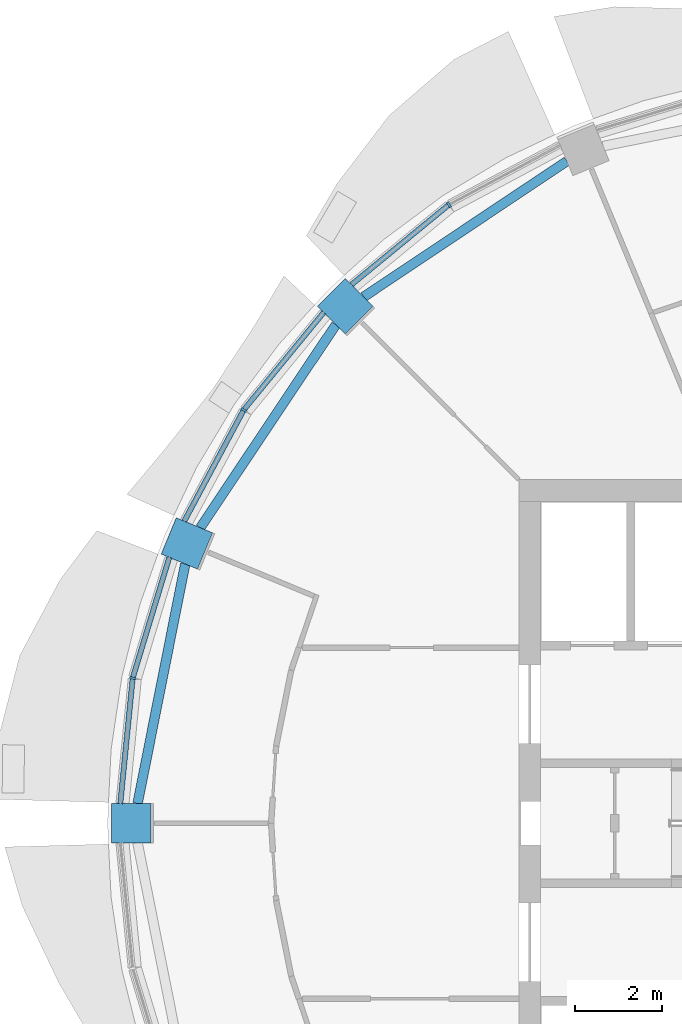
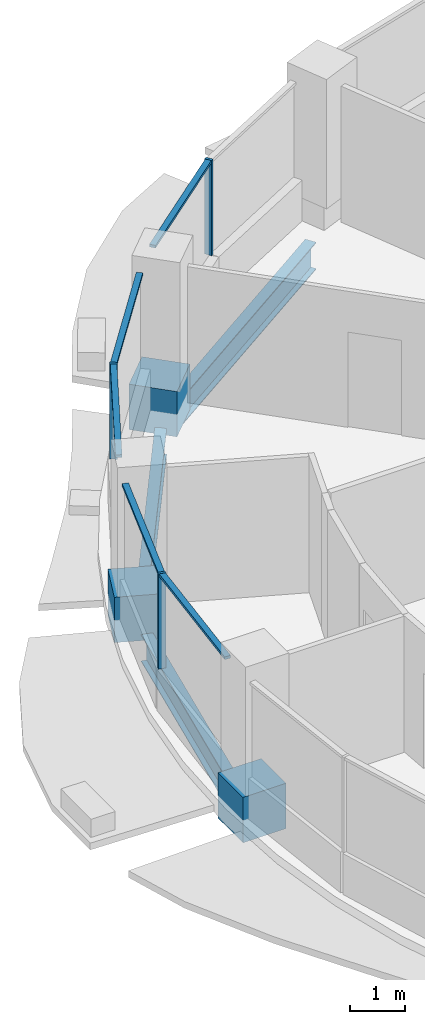
# One storey, part 4 of 15: 11 members, 3 beams, 3 elements without a shape of their own.
"""IFC4 building model written with IfcOpenShell, lengths in metres."""

from ifc_helpers import new_model, si_unit, direction, frame, origin, origin_2d, place, context, subcontext, project, spatial, rectangle, i_section, extrude, material, material_profile, profile_set, type_object, element, aggregate, save


model = new_model("IFC4")

# Units and contexts
model_context = context("Model", 3, precision=1e-05, world=origin(), true_north=direction((0.0, 1.0)))
body_context = subcontext(model_context, "Body", "Model", "MODEL_VIEW")
ifc_project = project(units=[si_unit("LENGTHUNIT", "METRE"), si_unit("AREAUNIT", "SQUARE_METRE"), si_unit("VOLUMEUNIT", "CUBIC_METRE"), si_unit("PLANEANGLEUNIT", "RADIAN"), si_unit("MASSUNIT", "GRAM", prefix="KILO")], contexts=[model_context])

# Site, building, storey
site_placement = place(None, origin())
site = spatial("IfcSite", under=ifc_project, at=site_placement, CompositionType="ELEMENT")
building_placement = place(site_placement, origin())
building = spatial("IfcBuilding", under=site, at=building_placement, Name="Polderwave Tower", CompositionType="ELEMENT")
storey_placement = place(building_placement, frame((0.0, 0.0, 197.699951171875)))
storey = spatial("IfcBuildingStorey", under=building, at=storey_placement, Name="L53", CompositionType="ELEMENT", Elevation=197.699951171875)

# Curtain wall, member
ifc_material_1 = material(Name="Aluminium 6063-T6 and glass", Category="aluminium")
curtain_wall_type = type_object("IfcCurtainWallType", Name="Office ribbon glazing wall", PredefinedType="NOTDEFINED", material=ifc_material_1)
curtain_wall_1_placement = place(storey_placement, origin())
curtain_wall_1 = element("IfcCurtainWall", 1, at=curtain_wall_1_placement, inside=storey, type_object=curtain_wall_type, Name="CW3 L53 05", PredefinedType="NOTDEFINED")
ifc_material_2 = material(Name="Aluminium 6063-T6", Category="aluminium")
ifc_material_profile_1 = material_profile(ifc_material_2, rectangle(XDim=0.139892578125, YDim=0.054931640625, at=origin_2d()), Name="AL 55x140")
ifc_profile_set_1 = profile_set([ifc_material_profile_1], Name="Aluminium 6063-T6")
member_type_1 = type_object("IfcMemberType", Name="Office ribbon glazing mullion 55x140", PredefinedType="MULLION", material=ifc_profile_set_1)
member_1_placement = place(storey_placement, frame((-9.471923828125, 14.177001953125, 0.900146484375), z_axis=(0.0, 0.0, 1.0), x_axis=(0.555554269847, -0.831480278332, 0.0)))
member_1 = element("IfcMember", 2, at=member_1_placement, type_object=member_type_1, Name="CW3 mullion 1", PredefinedType="MULLION", context=body_context, shape_type="SweptSolid", body=[
    extrude(rectangle(XDim=0.139892578125, YDim=0.054931640625, at=origin_2d()), origin(), (0.0, 0.0, 1.0), 2.099853515625),
])

curtain_wall_2_placement = place(storey_placement, origin())
curtain_wall_2 = element("IfcCurtainWall", 3, at=curtain_wall_2_placement, inside=storey, type_object=curtain_wall_type, Name="CW3 L53 06", PredefinedType="NOTDEFINED")
member_2_placement = place(storey_placement, frame((-14.177001953125, 9.471923828125, 0.900146484375), z_axis=(0.0, 0.0, 1.0), x_axis=(0.831480278332, -0.555554269847, 0.0)))
member_2 = element("IfcMember", 4, at=member_2_placement, type_object=member_type_1, Name="CW3 mullion 1", PredefinedType="MULLION", context=body_context, shape_type="SweptSolid", body=[
    extrude(rectangle(XDim=0.139892578125, YDim=0.054931640625, at=origin_2d()), origin(), (0.0, 0.0, 1.0), 2.099853515625),
])

curtain_wall_3_placement = place(storey_placement, origin())
curtain_wall_3 = element("IfcCurtainWall", 5, at=curtain_wall_3_placement, inside=storey, type_object=curtain_wall_type, Name="CW3 L53 07", PredefinedType="NOTDEFINED")
member_3_placement = place(storey_placement, frame((-16.721923828125, 3.325927734375, 0.900146484375), z_axis=(0.0, 0.0, 1.0), x_axis=(0.980762460409, -0.195205010829, 0.0)))
member_3 = element("IfcMember", 6, at=member_3_placement, type_object=member_type_1, Name="CW3 mullion 1", PredefinedType="MULLION", context=body_context, shape_type="SweptSolid", body=[
    extrude(rectangle(XDim=0.139892578125, YDim=0.054931640625, at=origin_2d()), origin(), (0.0, 0.0, 1.0), 2.099853515625),
])

# Member
ifc_material_profile_2 = material_profile(ifc_material_2, rectangle(XDim=0.1201171875, YDim=0.06005859375, at=origin_2d()), Name="AL 60x120")
ifc_profile_set_2 = profile_set([ifc_material_profile_2], Name="Aluminium 6063-T6")
member_type_2 = type_object("IfcMemberType", Name="Office ribbon glazing transom 60x120", PredefinedType="USERDEFINED", material=ifc_profile_set_2)
member_4_placement = place(storey_placement, frame((-9.493408203125, 14.15966796875, 2.969970703125), z_axis=(-0.773014408313, -0.634388465012, 0.0), x_axis=(0.634388465012, -0.773014408313, 0.0)))
member_4 = element("IfcMember", 7, at=member_4_placement, type_object=member_type_2, Name="CW3 transom 2", ObjectType="TRANSOM", PredefinedType="USERDEFINED", context=body_context, shape_type="SweptSolid", body=[
    extrude(rectangle(XDim=0.1201171875, YDim=0.06005859375, at=origin_2d()), origin(), (0.0, 0.0, 1.0), 2.863525390625),
])

aggregate(curtain_wall_1, [member_1, member_4])

member_5_placement = place(storey_placement, frame((-12.343017578125, 11.70703125, 2.969970703125), z_axis=(-0.634388465012, -0.773014408313, 0.0), x_axis=(0.773014408313, -0.634388465012, 0.0)))
member_5 = element("IfcMember", 8, at=member_5_placement, type_object=member_type_2, Name="CW3 transom 1", ObjectType="TRANSOM", PredefinedType="USERDEFINED", context=body_context, shape_type="SweptSolid", body=[
    extrude(rectangle(XDim=0.1201171875, YDim=0.06005859375, at=origin_2d()), origin(), (0.0, 0.0, 1.0), 2.863525390625),
])

member_6_placement = place(storey_placement, frame((-14.18994140625, 9.44775390625, 2.969970703125), z_axis=(-0.471447059803, -0.881894364311, 0.0), x_axis=(0.881894364311, -0.471447059803, 0.0)))
member_6 = element("IfcMember", 9, at=member_6_placement, type_object=member_type_2, Name="CW3 transom 2", ObjectType="TRANSOM", PredefinedType="USERDEFINED", context=body_context, shape_type="SweptSolid", body=[
    extrude(rectangle(XDim=0.1201171875, YDim=0.06005859375, at=origin_2d()), origin(), (0.0, 0.0, 1.0), 2.861572265625),
])

aggregate(curtain_wall_2, [member_2, member_5, member_6])

member_7_placement = place(storey_placement, frame((-15.883056640625, 6.092041015625, 2.969970703125), z_axis=(-0.290272457704, -0.956944042407, 0.0), x_axis=(0.956944042407, -0.290272457704, 0.0)))
member_7 = element("IfcMember", 10, at=member_7_placement, type_object=member_type_2, Name="CW3 transom 1", ObjectType="TRANSOM", PredefinedType="USERDEFINED", context=body_context, shape_type="SweptSolid", body=[
    extrude(rectangle(XDim=0.1201171875, YDim=0.06005859375, at=origin_2d()), origin(), (0.0, 0.0, 1.0), 2.863037109375),
])

member_8_placement = place(storey_placement, frame((-16.724609375, 3.298583984375, 2.969970703125), z_axis=(-0.098338314772, -0.99515304142, 0.0), x_axis=(0.99515304142, -0.098338314772, 0.0)))
member_8 = element("IfcMember", 11, at=member_8_placement, type_object=member_type_2, Name="CW3 transom 2", ObjectType="TRANSOM", PredefinedType="USERDEFINED", context=body_context, shape_type="SweptSolid", body=[
    extrude(rectangle(XDim=0.1201171875, YDim=0.06005859375, at=origin_2d()), origin(), (0.0, 0.0, 1.0), 2.862548828125),
])

aggregate(curtain_wall_3, [member_3, member_7, member_8])

# Members
ifc_material_3 = material(Name="Concrete C60/75", Category="concrete")
ifc_material_profile_3 = material_profile(ifc_material_3, rectangle(XDim=0.89990234375, YDim=0.89990234375, at=origin_2d()), Name="RC 900x900")
ifc_profile_set_3 = profile_set([ifc_material_profile_3], Name="Concrete C60/75")
member_type_3 = type_object("IfcMemberType", Name="RC NODE 900x900 C60/75", PredefinedType="POST", material=ifc_profile_set_3)
for number, where, z_axis, x_axis, name in (
    (12, (-11.84814453125, 11.84814453125, -0.5), (0.0, 0.0, 1.0), (-0.707106781187, 0.707106781187, 0.0), "Ring column node 07"),
    (13, (-15.48046875, 6.412109375, -0.5), (0.0, 0.0, 1.0), (-0.923879532511, 0.382683432365, 0.0), "Ring column node 08"),
    (14, (-16.755859375, 0.0, -0.5), (0.0, 0.0, 1.0), (-1.0, 0.0, 0.0), "Ring column node 09"),
):
    element("IfcMember", number, at=place(storey_placement, frame(where, z_axis=z_axis, x_axis=x_axis)), inside=storey, type_object=member_type_3, Name=name, PredefinedType="POST", context=body_context, shape_type="SweptSolid", body=[
        extrude(rectangle(XDim=0.89990234375, YDim=0.89990234375, at=origin_2d()), origin(), (0.0, 0.0, 1.0), 1.0),
    ])

# Beams
ifc_material_4 = material(Name="Steel S355", Category="steel")
ifc_material_profile_4 = material_profile(ifc_material_4, i_section(OverallWidth=0.219970703125, OverallDepth=0.60009765625, WebThickness=0.011962890625, FlangeThickness=0.01904296875, at=origin_2d()), Name="IPE 600")
ifc_profile_set_4 = profile_set([ifc_material_profile_4], Name="Steel S355")
beam_type = type_object("IfcBeamType", Name="RING BEAM IPE 600", PredefinedType="BEAM", material=ifc_profile_set_4)
for number, where, z_axis, x_axis, name in (
    (15, (-6.772216796875, 15.173828125, -0.64990234375), (-0.831472877453, -0.555565346345, 0.0), (0.555565346345, -0.831472877453, 0.0), "ST-RB-L53-05"),
    (16, (-12.0634765625, 11.42724609375, -0.64990234375), (-0.555565346345, -0.831472877453, 0.0), (0.831472877453, -0.555565346345, 0.0), "ST-RB-L53-06"),
    (17, (-15.518310546875, 5.94091796875, -0.64990234375), (-0.195101310105, -0.980783094673, 0.0), (0.980783094673, -0.195101310105, 0.0), "ST-RB-L53-07"),
):
    element("IfcBeam", number, at=place(storey_placement, frame(where, z_axis=z_axis, x_axis=x_axis)), inside=storey, type_object=beam_type, Name=name, PredefinedType="BEAM", context=body_context, shape_type="SweptSolid", body=[
        extrude(i_section(OverallWidth=0.219970703125, OverallDepth=0.60009765625, WebThickness=0.011962890625, FlangeThickness=0.01904296875, at=origin_2d()), origin(), (0.0, 0.0, 1.0), 5.5986328125),
    ])

save(model, "model.ifc")
